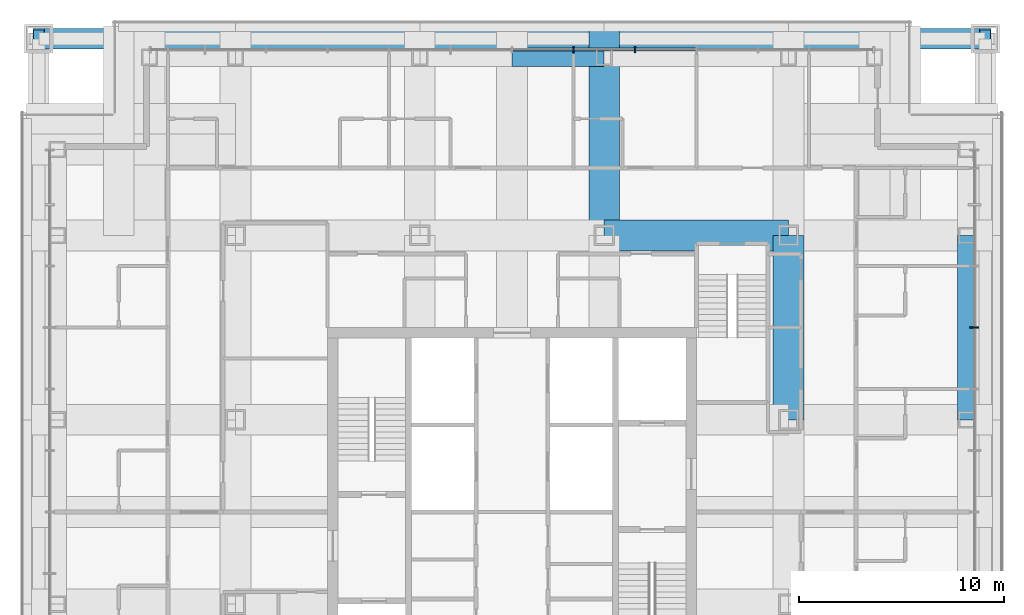
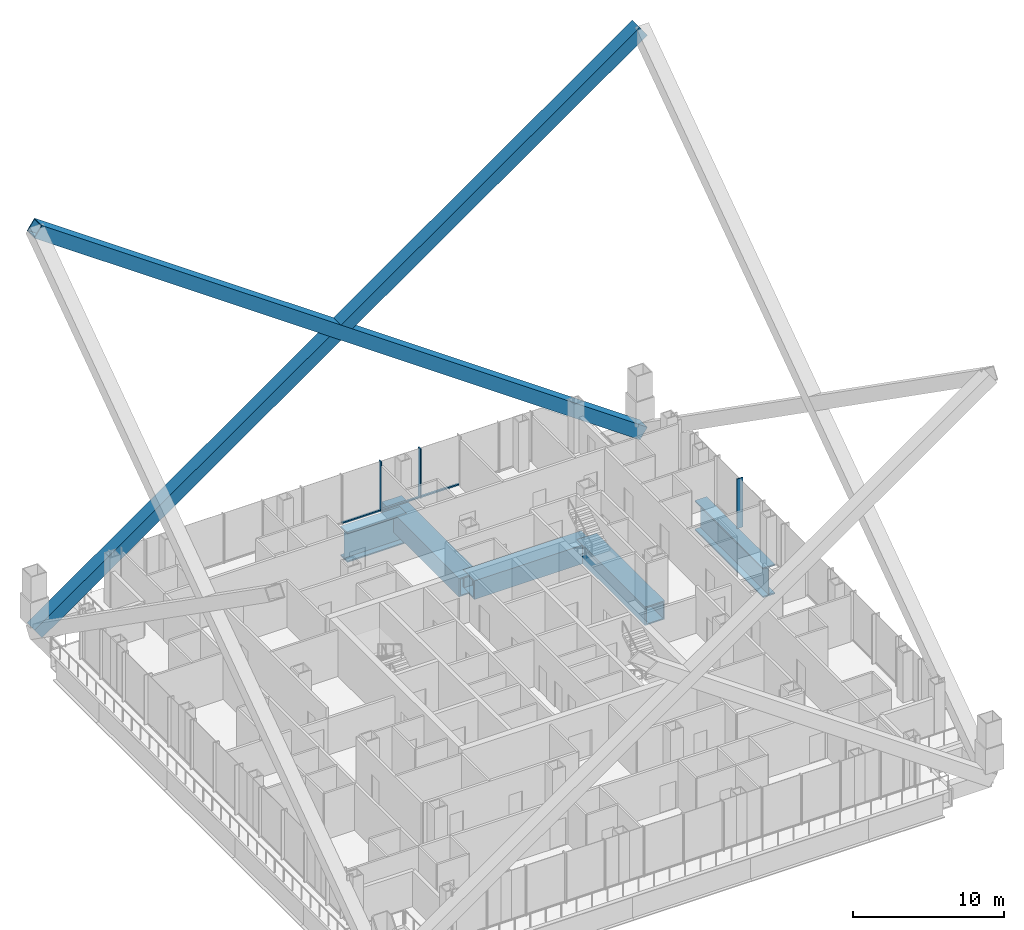
# One storey, part 8 of 18: 8 members, 5 beams, 2 elements without a shape of their own.
"""IFC4 building model written with IfcOpenShell, lengths in metres."""

from ifc_helpers import new_model, si_unit, direction, frame, origin, origin_2d, place, context, subcontext, project, spatial, rectangle, hollow_rectangle, i_section, extrude, material, layer, layer_set, material_profile, profile_set, type_object, element, aggregate, save


model = new_model("IFC4")

# Units and contexts
model_context = context("Model", 3, precision=1e-05, world=origin(), true_north=direction((0.0, 1.0)))
body_context = subcontext(model_context, "Body", "Model", "MODEL_VIEW")
ifc_project = project(units=[si_unit("LENGTHUNIT", "METRE"), si_unit("AREAUNIT", "SQUARE_METRE"), si_unit("VOLUMEUNIT", "CUBIC_METRE"), si_unit("PLANEANGLEUNIT", "RADIAN"), si_unit("MASSUNIT", "GRAM", prefix="KILO")], contexts=[model_context])

# Site, building, storey
site_placement = place(None, origin())
site = spatial("IfcSite", under=ifc_project, at=site_placement, CompositionType="ELEMENT")
building_placement = place(site_placement, origin())
building = spatial("IfcBuilding", under=site, at=building_placement, Name="Malebo Sky Hospital", CompositionType="ELEMENT")
storey_placement = place(building_placement, frame((0.0, 0.0, 177.0)))
storey = spatial("IfcBuildingStorey", under=building, at=storey_placement, Name="L42", CompositionType="ELEMENT", Elevation=177.0)

# Curtain wall, members
ifc_material_1 = material(Name="Anodised aluminium, natural silver", Category="aluminium")
ifc_layer_1 = layer(ifc_material_1, 0.25)
ifc_layer_set_1 = layer_set([ifc_layer_1], Name="WARD CURTAIN WALL NORTH AND SOUTH")
curtain_wall_type_1 = type_object("IfcCurtainWallType", Name="WARD CURTAIN WALL NORTH AND SOUTH", PredefinedType="NOTDEFINED", material=ifc_layer_set_1)
curtain_wall_1_placement = place(storey_placement, origin())
curtain_wall_1 = element("IfcCurtainWall", 1, at=curtain_wall_1_placement, inside=storey, type_object=curtain_wall_type_1, Name="NS curtain wall N", PredefinedType="NOTDEFINED")
ifc_material_profile_1 = material_profile(ifc_material_1, rectangle(XDim=0.14990234375, YDim=0.10009765625, at=origin_2d()), Name="ALUMINIUM TRANSOM 150x100")
ifc_profile_set_1 = profile_set([ifc_material_profile_1], Name="Anodised aluminium, natural silver")
member_type_1 = type_object("IfcMemberType", Name="ALUMINIUM TRANSOM 150x100", PredefinedType="USERDEFINED", material=ifc_profile_set_1)
member_1_placement = place(storey_placement, frame((60.03759765625, 84.574951171875, 0.050048828125), z_axis=(1.0, 0.0, 0.0), x_axis=(0.0, 1.0, 0.0)))
member_1 = element("IfcMember", 2, at=member_1_placement, type_object=member_type_1, Name="Transom 8", ObjectType="TRANSOM", PredefinedType="USERDEFINED", context=body_context, shape_type="SweptSolid", body=[
    extrude(rectangle(XDim=0.14990234375, YDim=0.10009765625, at=origin_2d()), origin(), (0.0, 0.0, 1.0), 2.9248046875),
])
member_2_placement = place(storey_placement, frame((63.03759765625, 84.574951171875, 0.050048828125), z_axis=(1.0, 0.0, 0.0), x_axis=(0.0, 1.0, 0.0)))
member_2 = element("IfcMember", 3, at=member_2_placement, type_object=member_type_1, Name="Transom 9", ObjectType="TRANSOM", PredefinedType="USERDEFINED", context=body_context, shape_type="SweptSolid", body=[
    extrude(rectangle(XDim=0.14990234375, YDim=0.10009765625, at=origin_2d()), origin(), (0.0, 0.0, 1.0), 2.9248046875),
])
member_3_placement = place(storey_placement, frame((66.03759765625, 84.574951171875, 0.050048828125), z_axis=(1.0, 0.0, 0.0), x_axis=(0.0, 1.0, 0.0)))
member_3 = element("IfcMember", 4, at=member_3_placement, type_object=member_type_1, Name="Transom 10", ObjectType="TRANSOM", PredefinedType="USERDEFINED", context=body_context, shape_type="SweptSolid", body=[
    extrude(rectangle(XDim=0.14990234375, YDim=0.10009765625, at=origin_2d()), origin(), (0.0, 0.0, 1.0), 2.9248046875),
])
ifc_material_profile_2 = material_profile(ifc_material_1, rectangle(XDim=0.074951171875, YDim=0.300048828125, at=origin_2d()), Name="CW1 ALUMINIUM FIN MULLION 75x300")
ifc_profile_set_2 = profile_set([ifc_material_profile_2], Name="Anodised aluminium, natural silver")
member_type_2 = type_object("IfcMemberType", Name="CW1 ALUMINIUM FIN MULLION 75x300", PredefinedType="MULLION", material=ifc_profile_set_2)
member_4_placement = place(storey_placement, frame((63.0, 84.574951171875, 0.0), z_axis=(0.0, 0.0, 1.0), x_axis=(1.0, 0.0, 0.0)))
member_4 = element("IfcMember", 5, at=member_4_placement, type_object=member_type_2, Name="Fin mullion 9", PredefinedType="MULLION", context=body_context, shape_type="SweptSolid", body=[
    extrude(rectangle(XDim=0.074951171875, YDim=0.300048828125, at=origin_2d()), origin(), (0.0, 0.0, 1.0), 4.0),
])
member_5_placement = place(storey_placement, frame((66.0, 84.574951171875, 0.0), z_axis=(0.0, 0.0, 1.0), x_axis=(1.0, 0.0, 0.0)))
member_5 = element("IfcMember", 6, at=member_5_placement, type_object=member_type_2, Name="Fin mullion 10", PredefinedType="MULLION", context=body_context, shape_type="SweptSolid", body=[
    extrude(rectangle(XDim=0.074951171875, YDim=0.300048828125, at=origin_2d()), origin(), (0.0, 0.0, 1.0), 4.0),
])
aggregate(curtain_wall_1, [member_4, member_5, member_1, member_2, member_3])

# Curtain wall, member
ifc_layer_2 = layer(ifc_material_1, 0.25)
ifc_layer_set_2 = layer_set([ifc_layer_2], Name="WARD CURTAIN WALL EAST AND WEST")
curtain_wall_type_2 = type_object("IfcCurtainWallType", Name="WARD CURTAIN WALL EAST AND WEST", PredefinedType="NOTDEFINED", material=ifc_layer_set_2)
curtain_wall_2_placement = place(storey_placement, origin())
curtain_wall_2 = element("IfcCurtainWall", 7, at=curtain_wall_2_placement, inside=storey, type_object=curtain_wall_type_2, Name="EW curtain wall E", PredefinedType="NOTDEFINED")
ifc_material_profile_3 = material_profile(ifc_material_1, rectangle(XDim=0.074951171875, YDim=0.449951171875, at=origin_2d()), Name="CW2 ALUMINIUM FIN MULLION 75x450")
ifc_profile_set_3 = profile_set([ifc_material_profile_3], Name="Anodised aluminium, natural silver")
member_type_3 = type_object("IfcMemberType", Name="CW2 ALUMINIUM FIN MULLION 75x450", PredefinedType="MULLION", material=ifc_profile_set_3)
member_6_placement = place(storey_placement, frame((82.574951171875, 71.0, 0.0), z_axis=(0.0, 0.0, 1.0), x_axis=(0.0, -1.0, 0.0)))
member_6 = element("IfcMember", 8, at=member_6_placement, type_object=member_type_3, Name="Fin mullion 5", PredefinedType="MULLION", context=body_context, shape_type="SweptSolid", body=[
    extrude(rectangle(XDim=0.074951171875, YDim=0.449951171875, at=origin_2d()), origin(), (0.0, 0.0, 1.0), 4.0),
])
aggregate(curtain_wall_2, [member_6])

# Members
ifc_material_2 = material(Name="Steel S460", Category="steel")
ifc_material_profile_4 = material_profile(ifc_material_2, hollow_rectangle(XDim=1.0, YDim=1.0, WallThickness=0.06005859375, at=origin_2d()), Name="BOX 1000x1000x60")
ifc_profile_set_4 = profile_set([ifc_material_profile_4], Name="Steel S460")
member_type_4 = type_object("IfcMemberType", Name="MEGA BRACE BOX 1000x1000x60", PredefinedType="BRACE", material=ifc_profile_set_4)
for number, where, z_axis, x_axis, name in (
    (9, (83.10009765625, 85.10009765625, -0.85009765625), (-0.818315050894, 0.0, 0.574769934392), (0.0, -1.0, 0.0), "Mega brace C1N1 L42-L50"),
    (10, (36.89990234375, 85.10009765625, -0.85009765625), (0.818315050894, 0.0, 0.574769934392), (0.0, 1.0, 0.0), "Mega brace C1N2 L42-L50"),
):
    element("IfcMember", number, at=place(storey_placement, frame(where, z_axis=z_axis, x_axis=x_axis)), inside=storey, type_object=member_type_4, Name=name, PredefinedType="BRACE", context=body_context, shape_type="SweptSolid", body=[
        extrude(hollow_rectangle(XDim=1.0, YDim=1.0, WallThickness=0.06005859375, at=origin_2d()), origin(), (0.0, 0.0, 1.0), 56.457763671875),
    ])

# Beams
ifc_material_profile_5 = material_profile(ifc_material_2, hollow_rectangle(XDim=1.5, YDim=1.5, WallThickness=0.10009765625, at=origin_2d()), Name="BOX 1500x1500x100")
ifc_profile_set_5 = profile_set([ifc_material_profile_5], Name="Steel S460")
beam_type_1 = type_object("IfcBeamType", Name="TRANSFER GIRDER BOX 1500x1500x100", PredefinedType="BEAM", material=ifc_profile_set_5)
beam_1_placement = place(storey_placement, frame((64.5, 75.5, -1.0), z_axis=(0.0, 1.0, 0.0), x_axis=(-1.0, 0.0, 0.0)))
element("IfcBeam", 11, at=beam_1_placement, inside=storey, type_object=beam_type_1, Name="Beam 024 L42", PredefinedType="BEAM", context=body_context, shape_type="SweptSolid", body=[
    extrude(hollow_rectangle(XDim=1.5, YDim=1.5, WallThickness=0.10009765625, at=origin_2d()), origin(), (0.0, 0.0, 1.0), 10.199951171875),
])
for number, where, z_axis, x_axis, name in (
    (12, (73.5, 66.5, -1.0), (0.0, 1.0, 0.0), (-1.0, 0.0, 0.0), "Beam 028 L42"),
    (13, (64.5, 75.5, -1.0), (1.0, 0.0, 0.0), (0.0, 1.0, 0.0), "Beam 068 L42"),
):
    element("IfcBeam", number, at=place(storey_placement, frame(where, z_axis=z_axis, x_axis=x_axis)), inside=storey, type_object=beam_type_1, Name=name, PredefinedType="BEAM", context=body_context, shape_type="SweptSolid", body=[
        extrude(hollow_rectangle(XDim=1.5, YDim=1.5, WallThickness=0.10009765625, at=origin_2d()), origin(), (0.0, 0.0, 1.0), 9.0),
    ])
ifc_material_3 = material(Name="Steel S355", Category="steel")
ifc_material_profile_6 = material_profile(ifc_material_3, i_section(OverallWidth=0.89990234375, OverallDepth=2.39990234375, WebThickness=0.050048828125, FlangeThickness=0.10009765625, at=origin_2d()), Name="PG 2400x900x50x100")
ifc_profile_set_6 = profile_set([ifc_material_profile_6], Name="Steel S355")
beam_type_2 = type_object("IfcBeamType", Name="TRANSFER GIRDER PG 2400x900x50x100", PredefinedType="BEAM", material=ifc_profile_set_6)
beam_2_placement = place(storey_placement, frame((82.199951171875, 66.5, -1.449951171875), z_axis=(0.0, 1.0, 0.0), x_axis=(-1.0, 0.0, 0.0)))
element("IfcBeam", 14, at=beam_2_placement, inside=storey, type_object=beam_type_2, Name="Beam 034e L42", PredefinedType="BEAM", context=body_context, shape_type="SweptSolid", body=[
    extrude(i_section(OverallWidth=0.89990234375, OverallDepth=2.39990234375, WebThickness=0.050048828125, FlangeThickness=0.10009765625, at=origin_2d()), origin(), (0.0, 0.0, 1.0), 9.0),
])
beam_3_placement = place(storey_placement, frame((60.0, 84.199951171875, -1.449951171875), z_axis=(1.0, 0.0, 0.0), x_axis=(0.0, 1.0, 0.0)))
element("IfcBeam", 15, at=beam_3_placement, inside=storey, type_object=beam_type_2, Name="Beam 074d L42", PredefinedType="BEAM", context=body_context, shape_type="SweptSolid", body=[
    extrude(i_section(OverallWidth=0.89990234375, OverallDepth=2.39990234375, WebThickness=0.050048828125, FlangeThickness=0.10009765625, at=origin_2d()), origin(), (0.0, 0.0, 1.0), 4.5),
])

save(model, "model.ifc")
